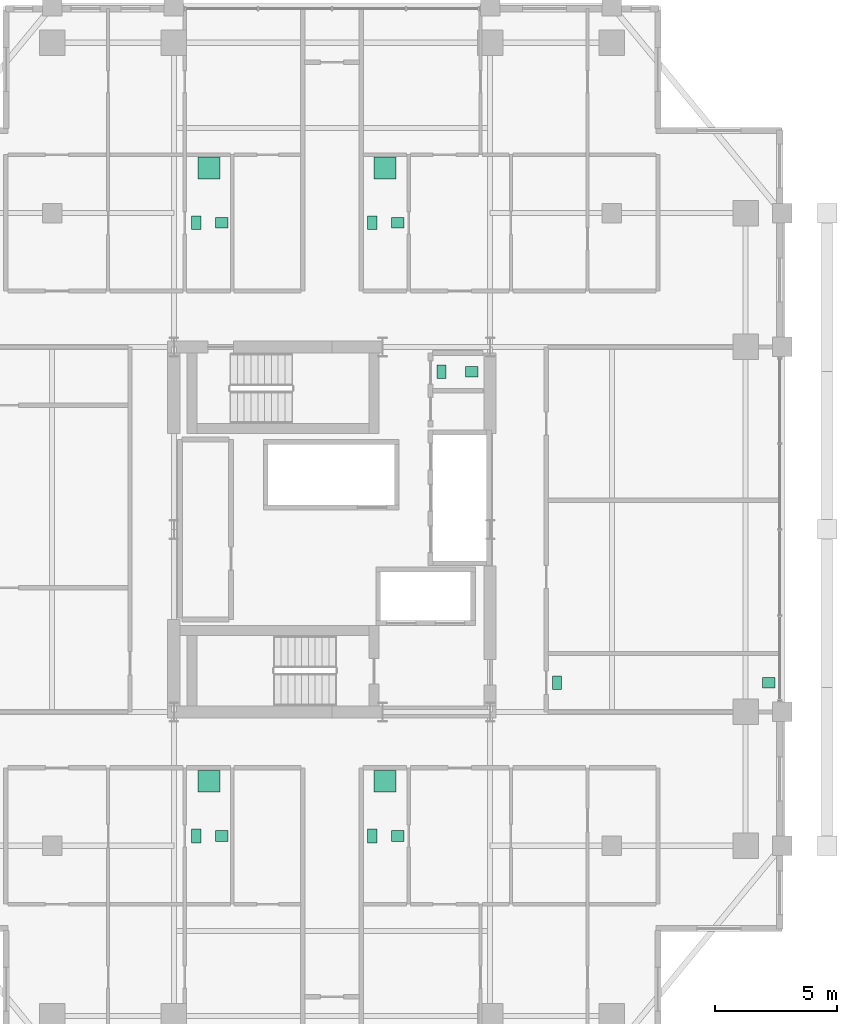
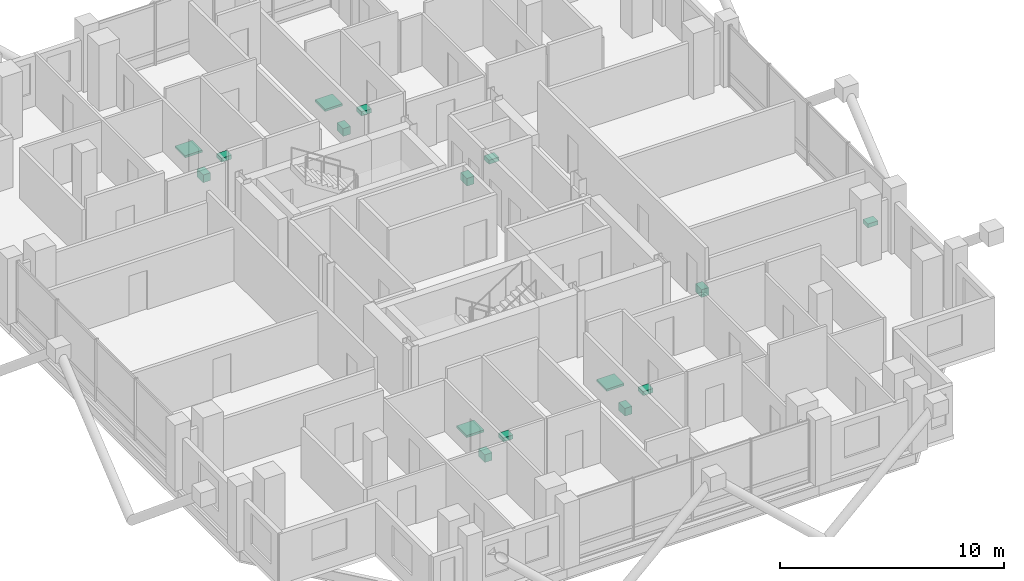
# One storey, part 24 of 24: 16 sanitary terminals.
"""IFC4 building model written with IfcOpenShell, lengths in metres."""

from ifc_helpers import new_model, si_unit, direction, frame, origin, origin_2d, place, context, subcontext, project, spatial, rectangle, extrude, material, type_object, element, save


model = new_model("IFC4")

# Units and contexts
model_context = context("Model", 3, precision=1e-05, world=origin(), true_north=direction((0.0, 1.0)))
body_context = subcontext(model_context, "Body", "Model", "MODEL_VIEW")
ifc_project = project(units=[si_unit("LENGTHUNIT", "METRE"), si_unit("AREAUNIT", "SQUARE_METRE"), si_unit("VOLUMEUNIT", "CUBIC_METRE"), si_unit("PLANEANGLEUNIT", "RADIAN"), si_unit("MASSUNIT", "GRAM", prefix="KILO")], contexts=[model_context])

# Site, building, storey
site_placement = place(None, origin())
site = spatial("IfcSite", under=ifc_project, at=site_placement, CompositionType="ELEMENT")
building_placement = place(site_placement, origin())
building = spatial("IfcBuilding", under=site, at=building_placement, Name="Barlavira Tower and Art Museum", CompositionType="ELEMENT")
storey_placement = place(building_placement, frame((0.0, 0.0, 194.39990234375)))
storey = spatial("IfcBuildingStorey", under=building, at=storey_placement, Name="L50", CompositionType="ELEMENT", Elevation=194.39990234375)

# Sanitary terminals
ifc_material = material(Name="Vitreous glazed ceramic", Category="ceramic")
sanitary_terminal_type_1 = type_object("IfcSanitaryTerminalType", Name="Countertop Ceramic Wash Hand Basin", PredefinedType="WASHHANDBASIN", material=ifc_material)
for number, where, z_axis, x_axis, name in (
    (1, (5.75, 6.47509765625, 0.740234375), (0.0, 0.0, 1.0), (1.0, 0.0, 0.0), "L50-C-WC1 Wash Basin"),
    (2, (-4.530029296875, -12.60009765625, 0.740234375), (0.0, 0.0, 1.0), (1.0, 0.0, 0.0), "L50-SW1-BTH1 Wash Basin"),
    (3, (2.699951171875, -12.60009765625, 0.740234375), (0.0, 0.0, 1.0), (1.0, 0.0, 0.0), "L50-SE1-BTH1 Wash Basin"),
    (4, (-4.530029296875, 12.60009765625, 0.740234375), (0.0, 0.0, 1.0), (1.0, 0.0, 0.0), "L50-NW1-BTH1 Wash Basin"),
    (5, (2.699951171875, 12.60009765625, 0.740234375), (0.0, 0.0, 1.0), (1.0, 0.0, 0.0), "L50-NE1-BTH1 Wash Basin"),
    (6, (17.949951171875, -6.300048828125, 0.740234375), (0.0, 0.0, 1.0), (1.0, 0.0, 0.0), "L50-E-SWC Wash Basin"),
):
    element("IfcSanitaryTerminal", number, at=place(storey_placement, frame(where, z_axis=z_axis, x_axis=x_axis)), inside=storey, type_object=sanitary_terminal_type_1, Name=name, PredefinedType="WASHHANDBASIN", context=body_context, shape_type="SweptSolid", body=[
        extrude(rectangle(XDim=0.52001953125, YDim=0.43994140625, at=origin_2d()), origin(), (0.0, 0.0, 1.0), 0.219970703125),
    ])
sanitary_terminal_type_2 = type_object("IfcSanitaryTerminalType", Name="Walk-In Thermostatic Rain Shower Unit", PredefinedType="SHOWER", material=ifc_material)
for number, where, z_axis, x_axis, name in (
    (7, (-5.054931640625, -10.35009765625, 0.0), (0.0, 0.0, 1.0), (1.0, 0.0, 0.0), "L50-SW1-BTH1 Rain Shower"),
    (8, (2.175048828125, -10.35009765625, 0.0), (0.0, 0.0, 1.0), (1.0, 0.0, 0.0), "L50-SE1-BTH1 Rain Shower"),
    (9, (-5.054931640625, 14.85009765625, 0.0), (0.0, 0.0, 1.0), (1.0, 0.0, 0.0), "L50-NW1-BTH1 Rain Shower"),
    (10, (2.175048828125, 14.85009765625, 0.0), (0.0, 0.0, 1.0), (1.0, 0.0, 0.0), "L50-NE1-BTH1 Rain Shower"),
):
    element("IfcSanitaryTerminal", number, at=place(storey_placement, frame(where, z_axis=z_axis, x_axis=x_axis)), inside=storey, type_object=sanitary_terminal_type_2, Name=name, PredefinedType="SHOWER", context=body_context, shape_type="SweptSolid", body=[
        extrude(rectangle(XDim=0.89990234375, YDim=0.89990234375, at=origin_2d()), origin(), (0.0, 0.0, 1.0), 0.1201171875),
    ])
sanitary_terminal_type_3 = type_object("IfcSanitaryTerminalType", Name="Wall-Hung Dual-Flush Vitreous WC Pan", PredefinedType="TOILETPAN", material=ifc_material)
for number, where, z_axis, x_axis, name in (
    (11, (4.5, 6.47509765625, 0.000244140625), (0.0, 0.0, 1.0), (1.0, 0.0, 0.0), "L50-C-WC1 WC Pan"),
    (12, (-5.580078125, -12.60009765625, 0.000244140625), (0.0, 0.0, 1.0), (1.0, 0.0, 0.0), "L50-SW1-BTH1 WC Pan"),
    (13, (1.64990234375, -12.60009765625, 0.000244140625), (0.0, 0.0, 1.0), (1.0, 0.0, 0.0), "L50-SE1-BTH1 WC Pan"),
    (14, (-5.580078125, 12.60009765625, 0.000244140625), (0.0, 0.0, 1.0), (1.0, 0.0, 0.0), "L50-NW1-BTH1 WC Pan"),
    (15, (1.64990234375, 12.60009765625, 0.000244140625), (0.0, 0.0, 1.0), (1.0, 0.0, 0.0), "L50-NE1-BTH1 WC Pan"),
    (16, (9.25, -6.300048828125, 0.000244140625), (0.0, 0.0, 1.0), (1.0, 0.0, 0.0), "L50-E-SWC WC Pan"),
):
    element("IfcSanitaryTerminal", number, at=place(storey_placement, frame(where, z_axis=z_axis, x_axis=x_axis)), inside=storey, type_object=sanitary_terminal_type_3, Name=name, PredefinedType="TOILETPAN", context=body_context, shape_type="SweptSolid", body=[
        extrude(rectangle(XDim=0.3798828125, YDim=0.56005859375, at=origin_2d()), origin(), (0.0, 0.0, 1.0), 0.419921875),
    ])

save(model, "model.ifc")
